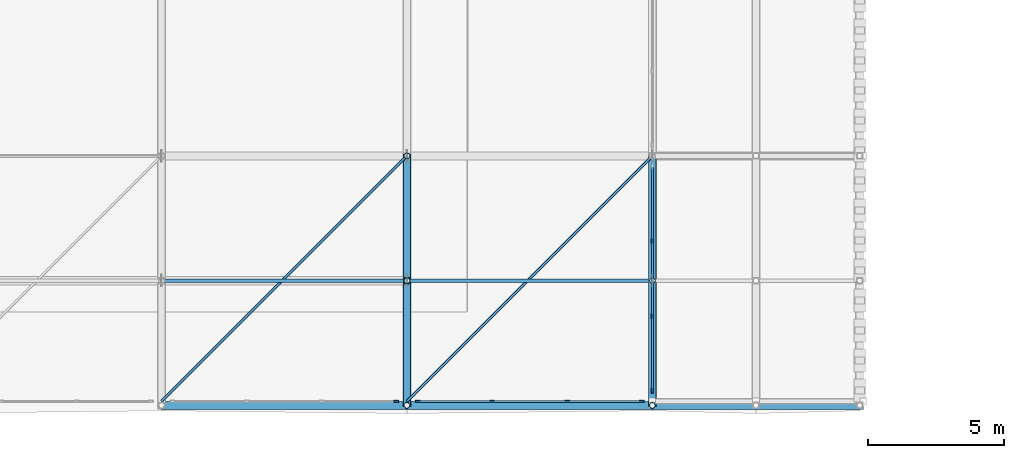
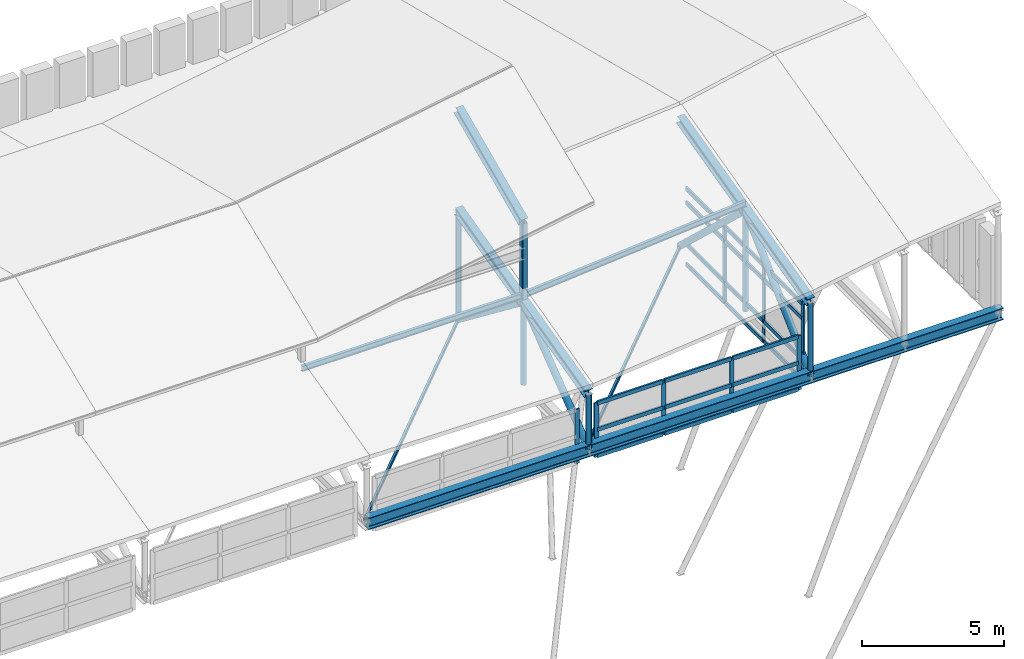
# One storey, part 13 of 42: 46 members, 1 beam, 3 elements without a shape of their own.
"""IFC4 building model written with IfcOpenShell, lengths in metres."""

import ifcopenshell
import ifcopenshell.guid

model = None  # the IFC model being written
_history = None  # IfcOwnerHistory: only IFC2X3 demands one
_inside = {}  # id of a spatial element -> (the spatial element, [elements in it])
_under = {}  # id of a project, library or spatial element -> (it, [spatial elements below it])
_declared = {}  # id of a project -> (the project, [libraries it declares])
_typed = {}  # id of a type object -> (the type object, [elements of that type])
_made_of = {}  # id of a material, layer set ... -> (it, [elements and type objects made of it])


def new_model(schema):
    """Start an empty IFC model of exactly this schema.

    Asked for "IFC4X3", IfcOpenShell would pick the latest addendum, in which some entities
    have other attributes; the version numbers below select the first issue.
    IFC2X3 requires an IfcOwnerHistory on every rooted entity: one is made here for all.
    """
    global model, _history
    if schema == "IFC4X3":
        model = ifcopenshell.file(schema_version=(4, 3, 0, 0))
    else:
        model = ifcopenshell.file(schema=schema)
    _inside.clear()
    _under.clear()
    _declared.clear()
    _typed.clear()
    _made_of.clear()
    _history = None
    if model.schema == "IFC2X3":
        org = make("IfcOrganization", Name="unknown")
        user = make(
            "IfcPersonAndOrganization",
            ThePerson=make("IfcPerson", FamilyName="unknown"),
            TheOrganization=org,
        )
        app = make(
            "IfcApplication",
            ApplicationDeveloper=org,
            Version="unknown",
            ApplicationFullName="unknown",
            ApplicationIdentifier="unknown",
        )
        _history = make(
            "IfcOwnerHistory",
            OwningUser=user,
            OwningApplication=app,
            ChangeAction="ADDED",
            CreationDate=0,
        )
    return model


def make(cls, **values):
    """One entity of the class cls with the attributes given. An attribute that is None is left unset."""
    return model.create_entity(
        cls, **{name: value for name, value in values.items() if value is not None}
    )


def rooted(cls, **values):
    """An entity with a GlobalId (a new one), such as an element, a storey or a relation."""
    return make(cls, GlobalId=ifcopenshell.guid.new(), OwnerHistory=_history, **values)


def si_unit(unit_type, name, prefix=None):
    """IfcSIUnit, for example si_unit("LENGTHUNIT", "METRE", prefix="MILLI")."""
    return make("IfcSIUnit", UnitType=unit_type, Prefix=prefix, Name=name)


def assignment(units):
    """IfcUnitAssignment: the units of a project."""
    return None if units is None else make("IfcUnitAssignment", Units=units)


def point(xyz):
    """IfcCartesianPoint."""
    return None if xyz is None else make("IfcCartesianPoint", Coordinates=xyz)


def direction(xyz):
    """IfcDirection."""
    return None if xyz is None else make("IfcDirection", DirectionRatios=xyz)


def frame(location, z_axis=None, x_axis=None):
    """IfcAxis2Placement3D, a coordinate frame: its origin and axes. An axis left out is left unset."""
    return make(
        "IfcAxis2Placement3D",
        Location=point(location),
        Axis=direction(z_axis),
        RefDirection=direction(x_axis),
    )


def frame_2d(location, x_axis=None):
    """IfcAxis2Placement2D, a coordinate frame in the plane: its origin and x axis."""
    return make(
        "IfcAxis2Placement2D", Location=point(location), RefDirection=direction(x_axis)
    )


def origin():
    """The frame at (0, 0, 0) with its axes left unset."""
    return frame((0.0, 0.0, 0.0))


def origin_2d():
    """The frame at (0, 0) in the plane with its x axis left unset."""
    return frame_2d((0.0, 0.0))


def place(relative_to, where):
    """IfcLocalPlacement: puts the frame where relative to a parent placement (None: the world)."""
    return make(
        "IfcLocalPlacement", PlacementRelTo=relative_to, RelativePlacement=where
    )


def context(
    kind, dimensions, precision=None, world=None, true_north=None, identifier=None
):
    """IfcGeometricRepresentationContext, for example the 3D "Model" context."""
    return make(
        "IfcGeometricRepresentationContext",
        ContextIdentifier=identifier,
        ContextType=kind,
        CoordinateSpaceDimension=dimensions,
        Precision=precision,
        WorldCoordinateSystem=world,
        TrueNorth=true_north,
    )


def subcontext(parent, identifier, kind, view, scale=None):
    """IfcGeometricRepresentationSubContext, for example "Body" below "Model"."""
    return make(
        "IfcGeometricRepresentationSubContext",
        ContextIdentifier=identifier,
        ContextType=kind,
        ParentContext=parent,
        TargetScale=scale,
        TargetView=view,
    )


def project(units=None, contexts=None):
    """IfcProject with its units and contexts."""
    return rooted(
        "IfcProject",
        Name="project",
        RepresentationContexts=contexts,
        UnitsInContext=assignment(units),
    )


def spatial(cls, under=None, at=None, **own):
    """A site, building, storey or space (cls), placed at a placement, below another one or the project."""
    s = rooted(cls, ObjectPlacement=at, **own)
    if under is not None:
        _under.setdefault(under.id(), (under, []))[1].append(s)
    return s


def profile(cls, at=None, kind="AREA", **sizes):
    """A parametric profile (cls). Its sizes go by their IFC names, for example OverallWidth=200.0."""
    return make(cls, ProfileType=kind, Position=at, **sizes)


def rectangle(**sizes):
    """IfcRectangleProfileDef."""
    return profile("IfcRectangleProfileDef", **sizes)


def hollow_rectangle(**sizes):
    """IfcRectangleHollowProfileDef."""
    return profile("IfcRectangleHollowProfileDef", **sizes)


def hollow_circle(**sizes):
    """IfcCircleHollowProfileDef."""
    return profile("IfcCircleHollowProfileDef", **sizes)


def i_section(**sizes):
    """IfcIShapeProfileDef."""
    return profile("IfcIShapeProfileDef", **sizes)


def extrude(swept, where, along, depth):
    """IfcExtrudedAreaSolid: the profile swept, set in the frame where, extruded along a direction by depth."""
    return make(
        "IfcExtrudedAreaSolid",
        SweptArea=swept,
        Position=where,
        ExtrudedDirection=direction(along),
        Depth=depth,
    )


def shape(context_of_items, identifier, shape_type, items):
    """IfcShapeRepresentation: the items that make up one representation, for example the "Body"."""
    return make(
        "IfcShapeRepresentation",
        ContextOfItems=context_of_items,
        RepresentationIdentifier=identifier,
        RepresentationType=shape_type,
        Items=items,
    )


def material(Name=None, Category=None):
    """IfcMaterial."""
    return make("IfcMaterial", Name=Name, Category=Category)


def material_profile(
    of_material, cross_section, Name=None, Category=None, Priority=None
):
    """IfcMaterialProfile: a cross section and its material."""
    return make(
        "IfcMaterialProfile",
        Name=Name,
        Material=of_material,
        Profile=cross_section,
        Priority=Priority,
        Category=Category,
    )


def profile_set(profiles, Name=None, composite=None):
    """IfcMaterialProfileSet."""
    return make(
        "IfcMaterialProfileSet",
        Name=Name,
        MaterialProfiles=profiles,
        CompositeProfile=composite,
    )


def made_of(thing, what):
    """Note that an element or type object is made of a material, layer set ...; save() writes the relation."""
    if what is not None:
        _made_of.setdefault(what.id(), (what, []))[1].append(thing)
    return thing


def type_object(cls, material=None, **own):
    """A type object (cls), such as IfcWallType, which elements share."""
    return made_of(rooted(cls, **own), material)


def element(
    cls,
    number,
    at=None,
    inside=None,
    cuts=None,
    type_object=None,
    material=None,
    context=None,
    identifier="Body",
    shape_type=None,
    held_by="IfcProductDefinitionShape",
    body=None,
    shapes=None,
    **own,
):
    """One element of the class cls, such as IfcWall. Its Tag is "e" and its number.

    at: its placement. inside: the storey or other place that contains it. cuts: it is an
    opening in that element (IfcRelVoidsElement). A single representation is given by context,
    identifier, shape_type and body (its items); several are given by shapes. held_by: the class
    of the entity that holds the representations. save() writes the other relations.
    """
    e = rooted(cls, Tag="e%d" % number, ObjectPlacement=at, **own)
    if body is not None:
        shapes = [shape(context, identifier, shape_type, body)]
    if shapes is not None:
        e.Representation = make(held_by, Representations=shapes)
    if inside is not None:
        _inside.setdefault(inside.id(), (inside, []))[1].append(e)
    if cuts is not None:
        rooted(
            "IfcRelVoidsElement", RelatingBuildingElement=cuts, RelatedOpeningElement=e
        )
    if type_object is not None:
        _typed.setdefault(type_object.id(), (type_object, []))[1].append(e)
    return made_of(e, material)


def aggregate(whole, parts):
    """IfcRelAggregates: a whole, such as a stair, and the parts it consists of."""
    return rooted("IfcRelAggregates", RelatingObject=whole, RelatedObjects=parts)


def save(model, path):
    """Write the relations noted so far, then the file.

    IfcRelAggregates (storeys below a building ...), IfcRelContainedInSpatialStructure (elements
    in a storey), IfcRelDefinesByType, IfcRelAssociatesMaterial and IfcRelDeclares: one each for
    every whole, place, type object, material and project.
    """
    for whole, parts in _under.values():
        aggregate(whole, parts)
    for where, things in _inside.values():
        rooted(
            "IfcRelContainedInSpatialStructure",
            RelatedElements=things,
            RelatingStructure=where,
        )
    for kind, things in _typed.values():
        rooted("IfcRelDefinesByType", RelatedObjects=things, RelatingType=kind)
    for what, things in _made_of.values():
        rooted("IfcRelAssociatesMaterial", RelatedObjects=things, RelatingMaterial=what)
    for by, libraries in _declared.values():
        rooted("IfcRelDeclares", RelatingContext=by, RelatedDefinitions=libraries)
    model.write(path)


model = new_model("IFC4")

# Units and contexts
model_context = context("Model", 3, precision=1e-05, world=origin(), true_north=direction((0.0, 1.0)))
body_context = subcontext(model_context, "Body", "Model", "MODEL_VIEW")
ifc_project = project(units=[si_unit("LENGTHUNIT", "METRE"), si_unit("AREAUNIT", "SQUARE_METRE"), si_unit("VOLUMEUNIT", "CUBIC_METRE"), si_unit("PLANEANGLEUNIT", "RADIAN"), si_unit("MASSUNIT", "GRAM", prefix="KILO")], contexts=[model_context])

# Site, building, storey
site_placement = place(None, origin())
site = spatial("IfcSite", under=ifc_project, at=site_placement, CompositionType="ELEMENT")
building_placement = place(site_placement, origin())
building = spatial("IfcBuilding", under=site, at=building_placement, Name="Bozkorgan Art Gallery", CompositionType="ELEMENT")
storey_placement = place(building_placement, frame((0.0, 0.0, 28.800048828125)))
storey = spatial("IfcBuildingStorey", under=building, at=storey_placement, Name="RF", CompositionType="ELEMENT", Elevation=28.800048828125)

# Beam
ifc_material_1 = material(Name="Steel S355J2", Category="steel")
ifc_material_profile_1 = material_profile(ifc_material_1, i_section(OverallWidth=0.300048828125, OverallDepth=0.5, WebThickness=0.014404296875, FlangeThickness=0.028076171875, FilletRadius=0.027099609375, at=origin_2d()), Name="HEB 500")
ifc_profile_set_1 = profile_set([ifc_material_profile_1], Name="Steel S355J2")
beam_type = type_object("IfcBeamType", Name="BEAM-TO-52", PredefinedType="BEAM", material=ifc_profile_set_1)
beam_placement = place(storey_placement, frame((47.0, 1.85009765625, 0.25), z_axis=(1.0, 0.0, 0.0), x_axis=(0.0, 1.0, 0.0)))
element("IfcBeam", 1, at=beam_placement, inside=storey, type_object=beam_type, Name="ROOF-V1-MAIN east overhang continuous truss chord 1", PredefinedType="BEAM", context=body_context, shape_type="SweptSolid", body=[
    extrude(i_section(OverallWidth=0.300048828125, OverallDepth=0.5, WebThickness=0.014404296875, FlangeThickness=0.028076171875, FilletRadius=0.027099609375, at=origin_2d()), origin(), (0.0, 0.0, 1.0), 25.739990234375),
])

# Curtain wall, member
ifc_material_2 = material(Name="Anodised Bronze Aluminium", Category="aluminium")
curtain_wall_type_1 = type_object("IfcCurtainWallType", Name="CW-CW-28", PredefinedType="NOTDEFINED", material=ifc_material_2)
curtain_wall_1_placement = place(storey_placement, origin())
curtain_wall_1 = element("IfcCurtainWall", 2, at=curtain_wall_1_placement, inside=storey, type_object=curtain_wall_type_1, Name="RF unitised curtain wall CW-RF-V1-S-47", PredefinedType="NOTDEFINED")
ifc_material_profile_2 = material_profile(ifc_material_2, rectangle(XDim=0.06494140625, YDim=0.179931640625, at=origin_2d()), Name="ALU MULLION 65x180")
ifc_profile_set_2 = profile_set([ifc_material_profile_2], Name="Anodised Bronze Aluminium")
member_type_1 = type_object("IfcMemberType", Name="CWM-01", PredefinedType="MULLION", material=ifc_profile_set_2)
member_1_placement = place(storey_placement, frame((55.607421875, 2.0, -0.324951171875), z_axis=(0.0, 0.0, 1.0), x_axis=(0.0, 1.0, 0.0)))
member_1 = element("IfcMember", 3, at=member_1_placement, type_object=member_type_1, Name="CW-28 mullion 4", PredefinedType="MULLION", context=body_context, shape_type="SweptSolid", body=[
    extrude(rectangle(XDim=0.06494140625, YDim=0.179931640625, at=origin_2d()), origin(), (0.0, 0.0, 1.0), 2.324951171875),
])
aggregate(curtain_wall_1, [member_1])

# Curtain wall, members
curtain_wall_2_placement = place(storey_placement, origin())
curtain_wall_2 = element("IfcCurtainWall", 4, at=curtain_wall_2_placement, inside=storey, type_object=curtain_wall_type_1, Name="RF unitised curtain wall CW-RF-V1-S-56", PredefinedType="NOTDEFINED")
member_2_placement = place(storey_placement, frame((56.392578125, 2.0, -0.324951171875), z_axis=(0.0, 0.0, 1.0), x_axis=(0.0, 1.0, 0.0)))
member_2 = element("IfcMember", 5, at=member_2_placement, type_object=member_type_1, Name="CW-28 mullion 1", PredefinedType="MULLION", context=body_context, shape_type="SweptSolid", body=[
    extrude(rectangle(XDim=0.06494140625, YDim=0.179931640625, at=origin_2d()), origin(), (0.0, 0.0, 1.0), 2.324951171875),
])
member_3_placement = place(storey_placement, frame((59.1201171875, 2.0, -0.324951171875), z_axis=(0.0, 0.0, 1.0), x_axis=(0.0, 1.0, 0.0)))
member_3 = element("IfcMember", 6, at=member_3_placement, type_object=member_type_1, Name="CW-28 mullion 2", PredefinedType="MULLION", context=body_context, shape_type="SweptSolid", body=[
    extrude(rectangle(XDim=0.06494140625, YDim=0.179931640625, at=origin_2d()), origin(), (0.0, 0.0, 1.0), 2.324951171875),
])
member_4_placement = place(storey_placement, frame((61.8798828125, 2.0, -0.324951171875), z_axis=(0.0, 0.0, 1.0), x_axis=(0.0, 1.0, 0.0)))
member_4 = element("IfcMember", 7, at=member_4_placement, type_object=member_type_1, Name="CW-28 mullion 3", PredefinedType="MULLION", context=body_context, shape_type="SweptSolid", body=[
    extrude(rectangle(XDim=0.06494140625, YDim=0.179931640625, at=origin_2d()), origin(), (0.0, 0.0, 1.0), 2.324951171875),
])
member_5_placement = place(storey_placement, frame((64.607421875, 2.0, -0.324951171875), z_axis=(0.0, 0.0, 1.0), x_axis=(0.0, 1.0, 0.0)))
member_5 = element("IfcMember", 8, at=member_5_placement, type_object=member_type_1, Name="CW-28 mullion 4", PredefinedType="MULLION", context=body_context, shape_type="SweptSolid", body=[
    extrude(rectangle(XDim=0.06494140625, YDim=0.179931640625, at=origin_2d()), origin(), (0.0, 0.0, 1.0), 2.324951171875),
])

curtain_wall_type_2 = type_object("IfcCurtainWallType", Name="CW-CW-62", PredefinedType="NOTDEFINED", material=ifc_material_2)
curtain_wall_3_placement = place(storey_placement, origin())
curtain_wall_3 = element("IfcCurtainWall", 9, at=curtain_wall_3_placement, inside=storey, type_object=curtain_wall_type_2, Name="RF unitised curtain wall CW-RF-V1-E-2", PredefinedType="NOTDEFINED")
member_6_placement = place(storey_placement, frame((65.0, 2.392578125, -0.324951171875), z_axis=(0.0, 0.0, 1.0), x_axis=(-1.0, 0.0, 0.0)))
member_6 = element("IfcMember", 10, at=member_6_placement, type_object=member_type_1, Name="CW-62 mullion 1", PredefinedType="MULLION", context=body_context, shape_type="SweptSolid", body=[
    extrude(rectangle(XDim=0.06494140625, YDim=0.179931640625, at=origin_2d()), origin(), (0.0, 0.0, 1.0), 3.324951171875),
])
member_7_placement = place(storey_placement, frame((65.0, 5.1201171875, -0.324951171875), z_axis=(0.0, 0.0, 1.0), x_axis=(-1.0, 0.0, 0.0)))
member_7 = element("IfcMember", 11, at=member_7_placement, type_object=member_type_1, Name="CW-62 mullion 2", PredefinedType="MULLION", context=body_context, shape_type="SweptSolid", body=[
    extrude(rectangle(XDim=0.06494140625, YDim=0.179931640625, at=origin_2d()), origin(), (0.0, 0.0, 1.0), 3.324951171875),
])
member_8_placement = place(storey_placement, frame((65.0, 7.8798828125, -0.324951171875), z_axis=(0.0, 0.0, 1.0), x_axis=(-1.0, 0.0, 0.0)))
member_8 = element("IfcMember", 12, at=member_8_placement, type_object=member_type_1, Name="CW-62 mullion 3", PredefinedType="MULLION", context=body_context, shape_type="SweptSolid", body=[
    extrude(rectangle(XDim=0.06494140625, YDim=0.179931640625, at=origin_2d()), origin(), (0.0, 0.0, 1.0), 3.324951171875),
])

# Member
ifc_material_profile_3 = material_profile(ifc_material_2, rectangle(XDim=0.074951171875, YDim=0.169921875, at=origin_2d()), Name="ALU TRANSOM 75x170")
ifc_profile_set_3 = profile_set([ifc_material_profile_3], Name="Anodised Bronze Aluminium")
member_type_2 = type_object("IfcMemberType", Name="CWT-02", PredefinedType="USERDEFINED", material=ifc_profile_set_3)
member_9_placement = place(storey_placement, frame((56.425048828125, 2.0, -0.28759765625), z_axis=(1.0, 0.0, 0.0), x_axis=(0.0, 1.0, 0.0)))
member_9 = element("IfcMember", 13, at=member_9_placement, type_object=member_type_2, Name="CW-28 transom 1.1", ObjectType="TRANSOM", PredefinedType="USERDEFINED", context=body_context, shape_type="SweptSolid", body=[
    extrude(rectangle(XDim=0.074951171875, YDim=0.169921875, at=origin_2d()), origin(), (0.0, 0.0, 1.0), 2.662353515625),
])

member_10_placement = place(storey_placement, frame((56.425048828125, 2.0, 0.837890625), z_axis=(1.0, 0.0, 0.0), x_axis=(0.0, 1.0, 0.0)))
member_10 = element("IfcMember", 14, at=member_10_placement, type_object=member_type_2, Name="CW-28 transom 1.2", ObjectType="TRANSOM", PredefinedType="USERDEFINED", context=body_context, shape_type="SweptSolid", body=[
    extrude(rectangle(XDim=0.074951171875, YDim=0.169921875, at=origin_2d()), origin(), (0.0, 0.0, 1.0), 2.662353515625),
])

member_11_placement = place(storey_placement, frame((56.425048828125, 2.0, 1.96240234375), z_axis=(1.0, 0.0, 0.0), x_axis=(0.0, 1.0, 0.0)))
member_11 = element("IfcMember", 15, at=member_11_placement, type_object=member_type_2, Name="CW-28 transom 1.3", ObjectType="TRANSOM", PredefinedType="USERDEFINED", context=body_context, shape_type="SweptSolid", body=[
    extrude(rectangle(XDim=0.074951171875, YDim=0.169921875, at=origin_2d()), origin(), (0.0, 0.0, 1.0), 2.662353515625),
])

member_12_placement = place(storey_placement, frame((59.152587890625, 2.0, -0.28759765625), z_axis=(1.0, 0.0, 0.0), x_axis=(0.0, 1.0, 0.0)))
member_12 = element("IfcMember", 16, at=member_12_placement, type_object=member_type_2, Name="CW-28 transom 2.1", ObjectType="TRANSOM", PredefinedType="USERDEFINED", context=body_context, shape_type="SweptSolid", body=[
    extrude(rectangle(XDim=0.074951171875, YDim=0.169921875, at=origin_2d()), origin(), (0.0, 0.0, 1.0), 2.69482421875),
])

member_13_placement = place(storey_placement, frame((59.152587890625, 2.0, 0.837890625), z_axis=(1.0, 0.0, 0.0), x_axis=(0.0, 1.0, 0.0)))
member_13 = element("IfcMember", 17, at=member_13_placement, type_object=member_type_2, Name="CW-28 transom 2.2", ObjectType="TRANSOM", PredefinedType="USERDEFINED", context=body_context, shape_type="SweptSolid", body=[
    extrude(rectangle(XDim=0.074951171875, YDim=0.169921875, at=origin_2d()), origin(), (0.0, 0.0, 1.0), 2.69482421875),
])

member_14_placement = place(storey_placement, frame((59.152587890625, 2.0, 1.96240234375), z_axis=(1.0, 0.0, 0.0), x_axis=(0.0, 1.0, 0.0)))
member_14 = element("IfcMember", 18, at=member_14_placement, type_object=member_type_2, Name="CW-28 transom 2.3", ObjectType="TRANSOM", PredefinedType="USERDEFINED", context=body_context, shape_type="SweptSolid", body=[
    extrude(rectangle(XDim=0.074951171875, YDim=0.169921875, at=origin_2d()), origin(), (0.0, 0.0, 1.0), 2.69482421875),
])

member_15_placement = place(storey_placement, frame((61.91259765625, 2.0, -0.28759765625), z_axis=(1.0, 0.0, 0.0), x_axis=(0.0, 1.0, 0.0)))
member_15 = element("IfcMember", 19, at=member_15_placement, type_object=member_type_2, Name="CW-28 transom 3.1", ObjectType="TRANSOM", PredefinedType="USERDEFINED", context=body_context, shape_type="SweptSolid", body=[
    extrude(rectangle(XDim=0.074951171875, YDim=0.169921875, at=origin_2d()), origin(), (0.0, 0.0, 1.0), 2.662353515625),
])

member_16_placement = place(storey_placement, frame((61.91259765625, 2.0, 0.837890625), z_axis=(1.0, 0.0, 0.0), x_axis=(0.0, 1.0, 0.0)))
member_16 = element("IfcMember", 20, at=member_16_placement, type_object=member_type_2, Name="CW-28 transom 3.2", ObjectType="TRANSOM", PredefinedType="USERDEFINED", context=body_context, shape_type="SweptSolid", body=[
    extrude(rectangle(XDim=0.074951171875, YDim=0.169921875, at=origin_2d()), origin(), (0.0, 0.0, 1.0), 2.662353515625),
])

member_17_placement = place(storey_placement, frame((61.91259765625, 2.0, 1.96240234375), z_axis=(1.0, 0.0, 0.0), x_axis=(0.0, 1.0, 0.0)))
member_17 = element("IfcMember", 21, at=member_17_placement, type_object=member_type_2, Name="CW-28 transom 3.3", ObjectType="TRANSOM", PredefinedType="USERDEFINED", context=body_context, shape_type="SweptSolid", body=[
    extrude(rectangle(XDim=0.074951171875, YDim=0.169921875, at=origin_2d()), origin(), (0.0, 0.0, 1.0), 2.662353515625),
])

aggregate(curtain_wall_2, [member_2, member_3, member_4, member_5, member_9, member_10, member_11, member_12, member_13, member_14, member_15, member_16, member_17])

member_18_placement = place(storey_placement, frame((65.0, 2.425048828125, -0.28759765625), z_axis=(0.0, 1.0, 0.0), x_axis=(-1.0, 0.0, 0.0)))
member_18 = element("IfcMember", 22, at=member_18_placement, type_object=member_type_2, Name="CW-62 transom 1.1", ObjectType="TRANSOM", PredefinedType="USERDEFINED", context=body_context, shape_type="SweptSolid", body=[
    extrude(rectangle(XDim=0.074951171875, YDim=0.169921875, at=origin_2d()), origin(), (0.0, 0.0, 1.0), 2.662353515625),
])

member_19_placement = place(storey_placement, frame((65.0, 2.425048828125, 0.574951171875), z_axis=(0.0, 1.0, 0.0), x_axis=(-1.0, 0.0, 0.0)))
member_19 = element("IfcMember", 23, at=member_19_placement, type_object=member_type_2, Name="CW-62 transom 1.2", ObjectType="TRANSOM", PredefinedType="USERDEFINED", context=body_context, shape_type="SweptSolid", body=[
    extrude(rectangle(XDim=0.074951171875, YDim=0.169921875, at=origin_2d()), origin(), (0.0, 0.0, 1.0), 2.662353515625),
])

member_20_placement = place(storey_placement, frame((65.0, 2.425048828125, 2.349853515625), z_axis=(0.0, 1.0, 0.0), x_axis=(-1.0, 0.0, 0.0)))
member_20 = element("IfcMember", 24, at=member_20_placement, type_object=member_type_2, Name="CW-62 transom 1.3", ObjectType="TRANSOM", PredefinedType="USERDEFINED", context=body_context, shape_type="SweptSolid", body=[
    extrude(rectangle(XDim=0.074951171875, YDim=0.169921875, at=origin_2d()), origin(), (0.0, 0.0, 1.0), 2.662353515625),
])

member_21_placement = place(storey_placement, frame((65.0, 2.425048828125, 2.96240234375), z_axis=(0.0, 1.0, 0.0), x_axis=(-1.0, 0.0, 0.0)))
member_21 = element("IfcMember", 25, at=member_21_placement, type_object=member_type_2, Name="CW-62 transom 1.4", ObjectType="TRANSOM", PredefinedType="USERDEFINED", context=body_context, shape_type="SweptSolid", body=[
    extrude(rectangle(XDim=0.074951171875, YDim=0.169921875, at=origin_2d()), origin(), (0.0, 0.0, 1.0), 2.662353515625),
])

member_22_placement = place(storey_placement, frame((65.0, 5.152587890625, -0.28759765625), z_axis=(0.0, 1.0, 0.0), x_axis=(-1.0, 0.0, 0.0)))
member_22 = element("IfcMember", 26, at=member_22_placement, type_object=member_type_2, Name="CW-62 transom 2.1", ObjectType="TRANSOM", PredefinedType="USERDEFINED", context=body_context, shape_type="SweptSolid", body=[
    extrude(rectangle(XDim=0.074951171875, YDim=0.169921875, at=origin_2d()), origin(), (0.0, 0.0, 1.0), 2.69482421875),
])

member_23_placement = place(storey_placement, frame((65.0, 5.152587890625, 0.574951171875), z_axis=(0.0, 1.0, 0.0), x_axis=(-1.0, 0.0, 0.0)))
member_23 = element("IfcMember", 27, at=member_23_placement, type_object=member_type_2, Name="CW-62 transom 2.2", ObjectType="TRANSOM", PredefinedType="USERDEFINED", context=body_context, shape_type="SweptSolid", body=[
    extrude(rectangle(XDim=0.074951171875, YDim=0.169921875, at=origin_2d()), origin(), (0.0, 0.0, 1.0), 2.69482421875),
])

member_24_placement = place(storey_placement, frame((65.0, 5.152587890625, 2.349853515625), z_axis=(0.0, 1.0, 0.0), x_axis=(-1.0, 0.0, 0.0)))
member_24 = element("IfcMember", 28, at=member_24_placement, type_object=member_type_2, Name="CW-62 transom 2.3", ObjectType="TRANSOM", PredefinedType="USERDEFINED", context=body_context, shape_type="SweptSolid", body=[
    extrude(rectangle(XDim=0.074951171875, YDim=0.169921875, at=origin_2d()), origin(), (0.0, 0.0, 1.0), 2.69482421875),
])

member_25_placement = place(storey_placement, frame((65.0, 5.152587890625, 2.96240234375), z_axis=(0.0, 1.0, 0.0), x_axis=(-1.0, 0.0, 0.0)))
member_25 = element("IfcMember", 29, at=member_25_placement, type_object=member_type_2, Name="CW-62 transom 2.4", ObjectType="TRANSOM", PredefinedType="USERDEFINED", context=body_context, shape_type="SweptSolid", body=[
    extrude(rectangle(XDim=0.074951171875, YDim=0.169921875, at=origin_2d()), origin(), (0.0, 0.0, 1.0), 2.69482421875),
])

member_26_placement = place(storey_placement, frame((65.0, 7.91259765625, -0.28759765625), z_axis=(0.0, 1.0, 0.0), x_axis=(-1.0, 0.0, 0.0)))
member_26 = element("IfcMember", 30, at=member_26_placement, type_object=member_type_2, Name="CW-62 transom 3.1", ObjectType="TRANSOM", PredefinedType="USERDEFINED", context=body_context, shape_type="SweptSolid", body=[
    extrude(rectangle(XDim=0.074951171875, YDim=0.169921875, at=origin_2d()), origin(), (0.0, 0.0, 1.0), 2.662353515625),
])

member_27_placement = place(storey_placement, frame((65.0, 7.91259765625, 0.574951171875), z_axis=(0.0, 1.0, 0.0), x_axis=(-1.0, 0.0, 0.0)))
member_27 = element("IfcMember", 31, at=member_27_placement, type_object=member_type_2, Name="CW-62 transom 3.2", ObjectType="TRANSOM", PredefinedType="USERDEFINED", context=body_context, shape_type="SweptSolid", body=[
    extrude(rectangle(XDim=0.074951171875, YDim=0.169921875, at=origin_2d()), origin(), (0.0, 0.0, 1.0), 2.662353515625),
])

member_28_placement = place(storey_placement, frame((65.0, 7.91259765625, 2.349853515625), z_axis=(0.0, 1.0, 0.0), x_axis=(-1.0, 0.0, 0.0)))
member_28 = element("IfcMember", 32, at=member_28_placement, type_object=member_type_2, Name="CW-62 transom 3.3", ObjectType="TRANSOM", PredefinedType="USERDEFINED", context=body_context, shape_type="SweptSolid", body=[
    extrude(rectangle(XDim=0.074951171875, YDim=0.169921875, at=origin_2d()), origin(), (0.0, 0.0, 1.0), 2.662353515625),
])

member_29_placement = place(storey_placement, frame((65.0, 7.91259765625, 2.96240234375), z_axis=(0.0, 1.0, 0.0), x_axis=(-1.0, 0.0, 0.0)))
member_29 = element("IfcMember", 33, at=member_29_placement, type_object=member_type_2, Name="CW-62 transom 3.4", ObjectType="TRANSOM", PredefinedType="USERDEFINED", context=body_context, shape_type="SweptSolid", body=[
    extrude(rectangle(XDim=0.074951171875, YDim=0.169921875, at=origin_2d()), origin(), (0.0, 0.0, 1.0), 2.662353515625),
])

aggregate(curtain_wall_3, [member_6, member_7, member_8, member_18, member_19, member_20, member_21, member_22, member_23, member_24, member_25, member_26, member_27, member_28, member_29])

# Members
ifc_material_profile_4 = material_profile(ifc_material_1, hollow_rectangle(XDim=0.219970703125, YDim=0.219970703125, WallThickness=0.012451171875, InnerFilletRadius=0.018798828125, OuterFilletRadius=0.03125, at=origin_2d()), Name="SHS 220x220x12.5")
ifc_profile_set_4 = profile_set([ifc_material_profile_4], Name="Steel S355J2")
member_type_3 = type_object("IfcMemberType", Name="MEMBER-CP-34", PredefinedType="POST", material=ifc_profile_set_4)
member_30_placement = place(storey_placement, frame((56.0, 6.425048828125, 3.76953125), z_axis=(0.0, 0.0, 1.0), x_axis=(1.0, 0.0, 0.0)))
element("IfcMember", 34, at=member_30_placement, inside=storey, type_object=member_type_3, Name="V1 upper clerestory truss post 6S", PredefinedType="POST", context=body_context, shape_type="SweptSolid", body=[
    extrude(hollow_rectangle(XDim=0.219970703125, YDim=0.219970703125, WallThickness=0.012451171875, InnerFilletRadius=0.018798828125, OuterFilletRadius=0.03125, at=origin_2d()), origin(), (0.0, 0.0, 1.0), 3.4208984375),
])
ifc_material_profile_5 = material_profile(ifc_material_1, i_section(OverallWidth=0.1201171875, OverallDepth=0.239990234375, WebThickness=0.006103515625, FlangeThickness=0.009765625, FilletRadius=0.014892578125, at=origin_2d()), Name="IPE 240")
ifc_profile_set_5 = profile_set([ifc_material_profile_5], Name="Steel S355J2")
member_type_4 = type_object("IfcMemberType", Name="MEMBER-PR-34", PredefinedType="PURLIN", material=ifc_profile_set_5)
member_31_placement = place(storey_placement, frame((47.0, 6.425048828125, 4.064453125), z_axis=(1.0, 0.0, 0.0), x_axis=(0.0, 1.0, 0.0)))
element("IfcMember", 35, at=member_31_placement, inside=storey, type_object=member_type_4, Name="ROOF-V1-MAIN roof purlin 6S", PredefinedType="PURLIN", context=body_context, shape_type="SweptSolid", body=[
    extrude(i_section(OverallWidth=0.1201171875, OverallDepth=0.239990234375, WebThickness=0.006103515625, FlangeThickness=0.009765625, FilletRadius=0.014892578125, at=origin_2d()), origin(), (0.0, 0.0, 1.0), 9.0),
])
member_32_placement = place(storey_placement, frame((56.0, 6.425048828125, 4.064453125), z_axis=(0.996276805455, 0.0, 0.086212104205), x_axis=(0.0, 1.0, 0.0)))
element("IfcMember", 36, at=member_32_placement, inside=storey, type_object=member_type_4, Name="ROOF-V1-MAIN roof purlin 7S", PredefinedType="PURLIN", context=body_context, shape_type="SweptSolid", body=[
    extrude(i_section(OverallWidth=0.1201171875, OverallDepth=0.239990234375, WebThickness=0.006103515625, FlangeThickness=0.009765625, FilletRadius=0.014892578125, at=origin_2d()), origin(), (0.0, 0.0, 1.0), 9.03369140625),
])
ifc_material_profile_6 = material_profile(ifc_material_1, i_section(OverallWidth=0.300048828125, OverallDepth=0.35009765625, WebThickness=0.010009765625, FlangeThickness=0.017578125, FilletRadius=0.027099609375, at=origin_2d()), Name="HEA 360")
ifc_profile_set_6 = profile_set([ifc_material_profile_6], Name="Steel S355J2")
member_type_5 = type_object("IfcMemberType", Name="MEMBER-TC-31", PredefinedType="CHORD", material=ifc_profile_set_6)
for number, where, z_axis, x_axis, name in (
    (37, (56.0, 1.85009765625, 2.61181640625), (0.0, 0.969441609257, 0.245322168264), (-1.0, 0.0, 0.0), "ROOF-V1-MAIN roof truss 7 south top chord"),
    (38, (65.0, 1.85009765625, 3.390625), (0.0, 0.969441609257, 0.245322168264), (-1.0, 0.0, 0.0), "ROOF-V1-MAIN roof truss 8 south top chord"),
):
    element("IfcMember", number, at=place(storey_placement, frame(where, z_axis=z_axis, x_axis=x_axis)), inside=storey, type_object=member_type_5, Name=name, PredefinedType="CHORD", context=body_context, shape_type="SweptSolid", body=[
        extrude(i_section(OverallWidth=0.300048828125, OverallDepth=0.35009765625, WebThickness=0.010009765625, FlangeThickness=0.017578125, FilletRadius=0.027099609375, at=origin_2d()), origin(), (0.0, 0.0, 1.0), 9.438232421875),
    ])
member_33_placement = place(storey_placement, frame((56.0, 6.425048828125, 7.1904296875), z_axis=(0.0, 0.911110965923, 0.412161142971), x_axis=(-1.0, 0.0, 0.0)))
element("IfcMember", 39, at=member_33_placement, inside=storey, type_object=member_type_5, Name="V1 stacked upper south chord 6", PredefinedType="CHORD", context=body_context, shape_type="SweptSolid", body=[
    extrude(i_section(OverallWidth=0.300048828125, OverallDepth=0.35009765625, WebThickness=0.010009765625, FlangeThickness=0.017578125, FilletRadius=0.027099609375, at=origin_2d()), origin(), (0.0, 0.0, 1.0), 5.021240234375),
])
ifc_material_profile_7 = material_profile(ifc_material_1, hollow_circle(Radius=0.109619140625, WallThickness=0.010009765625, at=origin_2d()), Name="CHS 219.1x10")
ifc_profile_set_7 = profile_set([ifc_material_profile_7], Name="Steel S355J2")
member_type_6 = type_object("IfcMemberType", Name="MEMBER-TP-78", PredefinedType="POST", material=ifc_profile_set_7)
member_34_placement = place(storey_placement, frame((56.0, 1.85009765625, 0.25), z_axis=(0.0, 0.0, 1.0), x_axis=(1.0, 0.0, 0.0)))
element("IfcMember", 40, at=member_34_placement, inside=storey, type_object=member_type_6, Name="ROOF-V1-MAIN roof truss 7 post 0", PredefinedType="POST", context=body_context, shape_type="SweptSolid", body=[
    extrude(hollow_circle(Radius=0.109619140625, WallThickness=0.010009765625, at=origin_2d()), origin(), (0.0, 0.0, 1.0), 2.36181640625),
])
member_35_placement = place(storey_placement, frame((56.0, 6.425048828125, 0.25), z_axis=(0.0, 0.0, 1.0), x_axis=(1.0, 0.0, 0.0)))
element("IfcMember", 41, at=member_35_placement, inside=storey, type_object=member_type_6, Name="ROOF-V1-MAIN roof truss 7 post 1", PredefinedType="POST", context=body_context, shape_type="SweptSolid", body=[
    extrude(hollow_circle(Radius=0.109619140625, WallThickness=0.010009765625, at=origin_2d()), origin(), (0.0, 0.0, 1.0), 3.51953125),
])
member_36_placement = place(storey_placement, frame((56.0, 11.0, 0.25), z_axis=(0.0, 0.0, 1.0), x_axis=(1.0, 0.0, 0.0)))
element("IfcMember", 42, at=member_36_placement, inside=storey, type_object=member_type_6, Name="ROOF-V1-MAIN roof truss 7 post 2", PredefinedType="POST", context=body_context, shape_type="SweptSolid", body=[
    extrude(hollow_circle(Radius=0.109619140625, WallThickness=0.010009765625, at=origin_2d()), origin(), (0.0, 0.0, 1.0), 4.67724609375),
])
member_37_placement = place(storey_placement, frame((65.0, 1.85009765625, 0.25), z_axis=(0.0, 0.0, 1.0), x_axis=(1.0, 0.0, 0.0)))
element("IfcMember", 43, at=member_37_placement, inside=storey, type_object=member_type_6, Name="ROOF-V1-MAIN roof truss 8 post 0", PredefinedType="POST", context=body_context, shape_type="SweptSolid", body=[
    extrude(hollow_circle(Radius=0.109619140625, WallThickness=0.010009765625, at=origin_2d()), origin(), (0.0, 0.0, 1.0), 3.140625),
])
member_38_placement = place(storey_placement, frame((65.0, 6.425048828125, 0.25), z_axis=(0.0, 0.0, 1.0), x_axis=(1.0, 0.0, 0.0)))
element("IfcMember", 44, at=member_38_placement, inside=storey, type_object=member_type_6, Name="ROOF-V1-MAIN roof truss 8 post 1", PredefinedType="POST", context=body_context, shape_type="SweptSolid", body=[
    extrude(hollow_circle(Radius=0.109619140625, WallThickness=0.010009765625, at=origin_2d()), origin(), (0.0, 0.0, 1.0), 4.29833984375),
])
ifc_material_profile_8 = material_profile(ifc_material_1, hollow_circle(Radius=0.136474609375, WallThickness=0.012451171875, at=origin_2d()), Name="CHS 273x12.5")
ifc_profile_set_8 = profile_set([ifc_material_profile_8], Name="Steel S355J2")
member_type_7 = type_object("IfcMemberType", Name="MEMBER-TW-28", PredefinedType="BRACE", material=ifc_profile_set_8)
for number, where, z_axis, x_axis, name in (
    (45, (56.0, 1.85009765625, 0.25), (0.0, 0.792595685704, 0.609747553504), (-1.0, 0.0, 0.0), "ROOF-V1-MAIN roof truss 7 diagonal 1"),
    (46, (56.0, 6.425048828125, 3.76953125), (0.0, 0.792595685704, -0.609747553504), (-1.0, 0.0, 0.0), "ROOF-V1-MAIN roof truss 7 diagonal 2"),
):
    element("IfcMember", number, at=place(storey_placement, frame(where, z_axis=z_axis, x_axis=x_axis)), inside=storey, type_object=member_type_7, Name=name, PredefinedType="BRACE", context=body_context, shape_type="SweptSolid", body=[
        extrude(hollow_circle(Radius=0.136474609375, WallThickness=0.012451171875, at=origin_2d()), origin(), (0.0, 0.0, 1.0), 5.772216796875),
    ])
for number, where, z_axis, x_axis, name in (
    (47, (65.0, 1.85009765625, 0.25), (0.0, 0.728795727129, 0.684731179456), (-1.0, 0.0, 0.0), "ROOF-V1-MAIN roof truss 8 diagonal 1"),
    (48, (65.0, 6.425048828125, 4.54833984375), (0.0, 0.728795727129, -0.684731179456), (-1.0, 0.0, 0.0), "ROOF-V1-MAIN roof truss 8 diagonal 2"),
):
    element("IfcMember", number, at=place(storey_placement, frame(where, z_axis=z_axis, x_axis=x_axis)), inside=storey, type_object=member_type_7, Name=name, PredefinedType="BRACE", context=body_context, shape_type="SweptSolid", body=[
        extrude(hollow_circle(Radius=0.136474609375, WallThickness=0.012451171875, at=origin_2d()), origin(), (0.0, 0.0, 1.0), 6.27734375),
    ])
ifc_material_profile_9 = material_profile(ifc_material_1, hollow_rectangle(XDim=0.10009765625, YDim=0.14990234375, WallThickness=0.008056640625, InnerFilletRadius=0.011962890625, OuterFilletRadius=0.02001953125, at=origin_2d()), Name="RHS 150x100x8")
ifc_profile_set_9 = profile_set([ifc_material_profile_9], Name="Steel S355J2")
member_type_8 = type_object("IfcMemberType", Name="MEMBER-WB-10", PredefinedType="BRACE", material=ifc_profile_set_9)
for number, where, z_axis, x_axis, name in (
    (49, (47.0, 2.0, 0.25), (0.707106781187, 0.707106781187, 0.0), (-0.707106781187, 0.707106781187, 0.0), "ROOF-V1-MAIN roof diaphragm wind brace 6"),
    (50, (56.0, 2.0, 0.25), (0.707106781187, 0.707106781187, 0.0), (-0.707106781187, 0.707106781187, 0.0), "ROOF-V1-MAIN roof diaphragm wind brace 7"),
):
    element("IfcMember", number, at=place(storey_placement, frame(where, z_axis=z_axis, x_axis=x_axis)), inside=storey, type_object=member_type_8, Name=name, PredefinedType="BRACE", context=body_context, shape_type="SweptSolid", body=[
        extrude(hollow_rectangle(XDim=0.10009765625, YDim=0.14990234375, WallThickness=0.008056640625, InnerFilletRadius=0.011962890625, OuterFilletRadius=0.02001953125, at=origin_2d()), origin(), (0.0, 0.0, 1.0), 12.72802734375),
    ])

save(model, "model.ifc")
